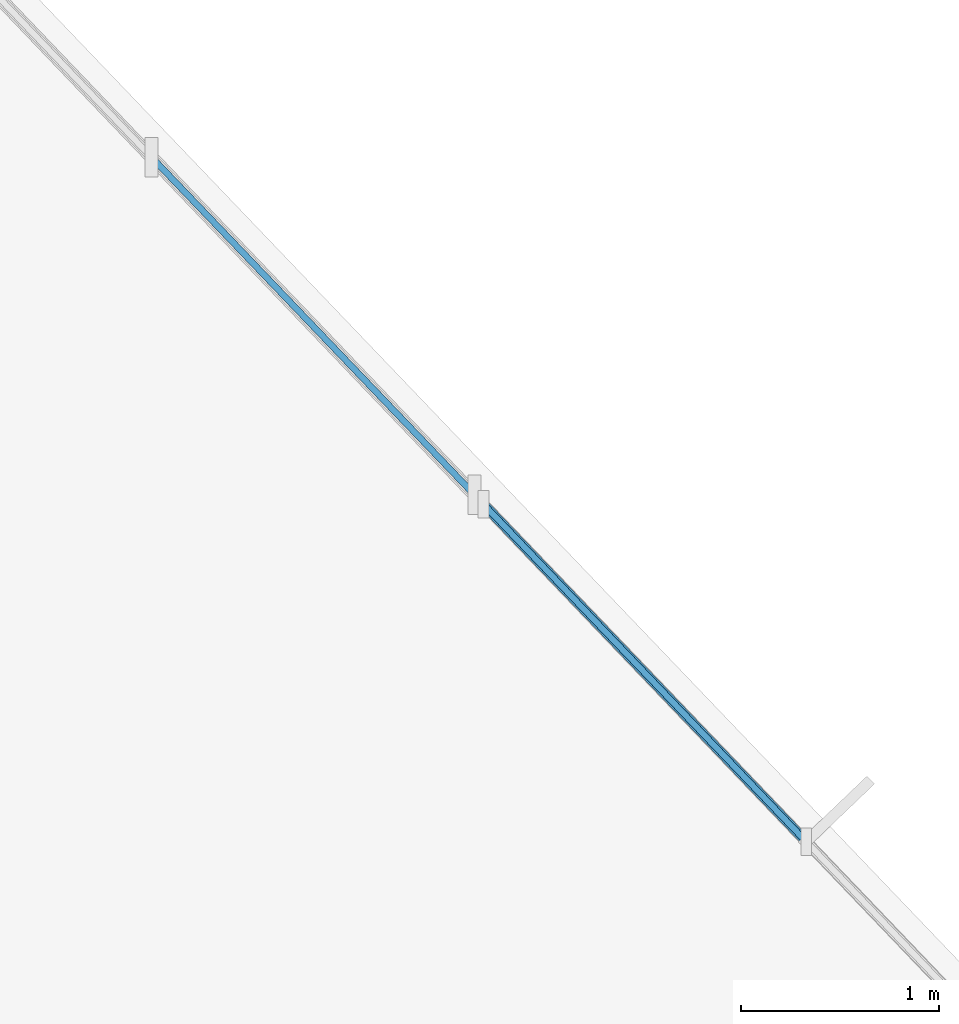
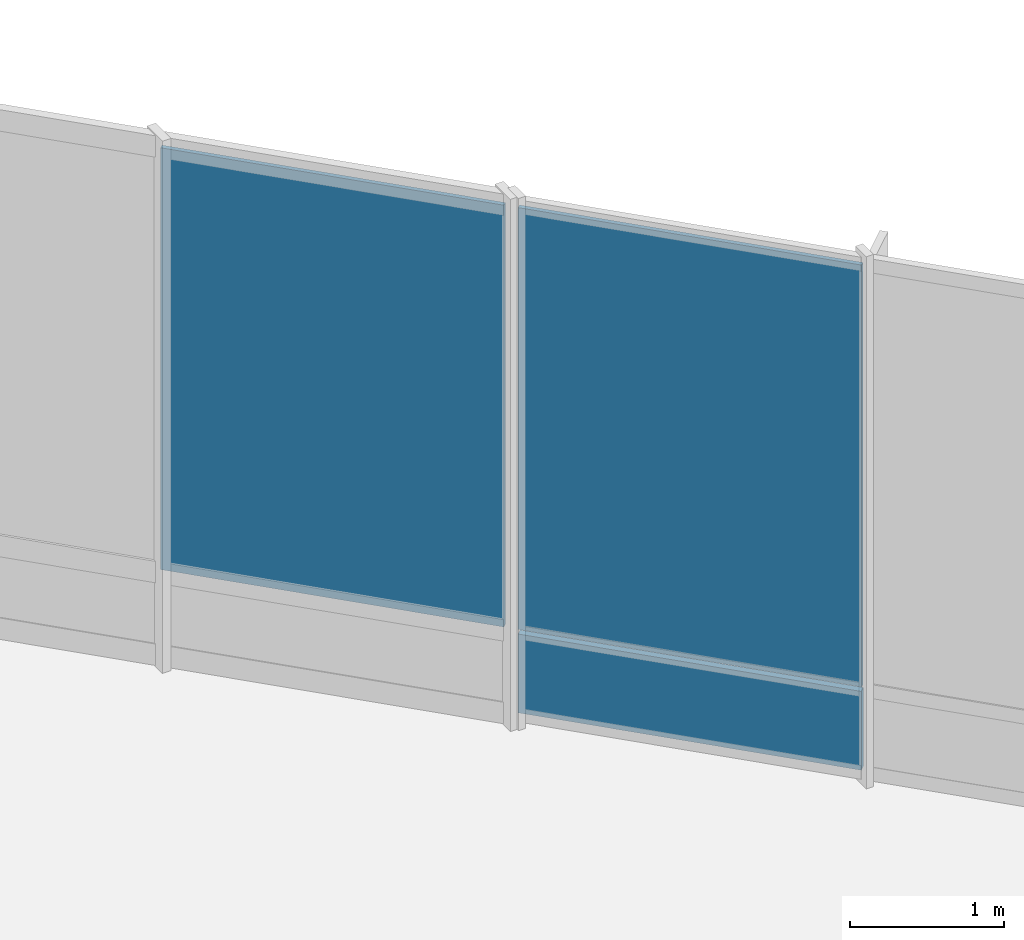
# One storey, part 35 of 62: 3 plates, 2 elements without a shape of their own.
"""IFC4 building model written with IfcOpenShell, lengths in metres."""

from ifc_helpers import new_model, si_unit, direction, frame, frame_2d, origin, place, context, subcontext, project, spatial, rectangle, extrude, material, layer, layer_set, type_object, element, aggregate, save


model = new_model("IFC4")

# Units and contexts
model_context = context("Model", 3, precision=1e-05, world=origin(), true_north=direction((0.0, 1.0)))
body_context = subcontext(model_context, "Body", "Model", "MODEL_VIEW")
ifc_project = project(units=[si_unit("LENGTHUNIT", "METRE"), si_unit("AREAUNIT", "SQUARE_METRE"), si_unit("VOLUMEUNIT", "CUBIC_METRE"), si_unit("PLANEANGLEUNIT", "RADIAN"), si_unit("MASSUNIT", "GRAM", prefix="KILO")], contexts=[model_context])

# Site, building, storey
site_placement = place(None, origin())
site = spatial("IfcSite", under=ifc_project, at=site_placement, CompositionType="ELEMENT")
building_placement = place(site_placement, origin())
building = spatial("IfcBuilding", under=site, at=building_placement, Name="Clarverna Civic Hall", CompositionType="ELEMENT")
storey_placement = place(building_placement, frame((0.0, 0.0, 5.10009765625)))
storey = spatial("IfcBuildingStorey", under=building, at=storey_placement, Name="L01", CompositionType="ELEMENT", Elevation=5.10009765625)

# Curtain wall, plate
ifc_material_1 = material(Name="Anodised Bronze Architectural Aluminium", Category="aluminium")
curtain_wall_type = type_object("IfcCurtainWallType", Name="CW-01", PredefinedType="USERDEFINED", material=ifc_material_1)
curtain_wall_1_placement = place(storey_placement, origin())
curtain_wall_1 = element("IfcCurtainWall", 1, at=curtain_wall_1_placement, inside=storey, type_object=curtain_wall_type, Name="CW-01-003", ObjectType="UNITISED CURTAIN WALL", PredefinedType="USERDEFINED")
ifc_material_2 = material(Name="Solar-Control Argon Low-E Double Glazing", Category="glass")
ifc_layer_1 = layer(ifc_material_2, 0.031982421875)
ifc_layer_set_1 = layer_set([ifc_layer_1], Name="Solar-Control Argon Low-E Double Glazing")
plate_type_1 = type_object("IfcPlateType", Name="CWP-01", PredefinedType="CURTAIN_PANEL", material=ifc_layer_set_1)
plate_1_placement = place(storey_placement, frame((159.6591796875, 110.71728515625, 0.764892578125), z_axis=(0.0, 0.0, 1.0), x_axis=(0.691227416228, -0.72263729426, 0.0)))
plate_1 = element("IfcPlate", 2, at=plate_1_placement, type_object=plate_type_1, Name="CWP-01-108", PredefinedType="CURTAIN_PANEL", context=body_context, shape_type="SweptSolid", body=[
    extrude(rectangle(XDim=2.323974609375, YDim=0.031982421875, at=frame_2d((1.162109375, 0.0))), origin(), (0.0, 0.0, 1.0), 3.344970703125),
])
aggregate(curtain_wall_1, [plate_1])

# Curtain wall, plates
curtain_wall_2_placement = place(storey_placement, origin())
curtain_wall_2 = element("IfcCurtainWall", 3, at=curtain_wall_2_placement, inside=storey, type_object=curtain_wall_type, Name="CW-01-004", ObjectType="UNITISED CURTAIN WALL", PredefinedType="USERDEFINED")
plate_2_placement = place(storey_placement, frame((161.33203125, 108.968505859375, 0.764892578125), z_axis=(0.0, 0.0, 1.0), x_axis=(0.691227416228, -0.72263729426, 0.0)))
plate_2 = element("IfcPlate", 4, at=plate_2_placement, type_object=plate_type_1, Name="CWP-01-109", PredefinedType="CURTAIN_PANEL", context=body_context, shape_type="SweptSolid", body=[
    extrude(rectangle(XDim=2.323974609375, YDim=0.031982421875, at=frame_2d((1.162109375, 0.0))), origin(), (0.0, 0.0, 1.0), 3.344970703125),
])
ifc_material_3 = material(Name="Insulated Anodised Bronze Spandrel Panel", Category="aluminium")
ifc_layer_2 = layer(ifc_material_3, 0.048095703125)
ifc_layer_set_2 = layer_set([ifc_layer_2], Name="Insulated Anodised Bronze Spandrel Panel")
plate_type_2 = type_object("IfcPlateType", Name="CWP-03", PredefinedType="CURTAIN_PANEL", material=ifc_layer_set_2)
plate_3_placement = place(storey_placement, frame((161.33203125, 108.968505859375, 0.10986328125), z_axis=(0.0, 0.0, 1.0), x_axis=(0.691227416228, -0.72263729426, 0.0)))
plate_3 = element("IfcPlate", 5, at=plate_3_placement, type_object=plate_type_2, Name="CWP-03-111", PredefinedType="CURTAIN_PANEL", context=body_context, shape_type="SweptSolid", body=[
    extrude(rectangle(XDim=2.323974609375, YDim=0.048095703125, at=frame_2d((1.162109375, 0.0))), origin(), (0.0, 0.0, 1.0), 0.625),
])
aggregate(curtain_wall_2, [plate_3, plate_2])

save(model, "model.ifc")
